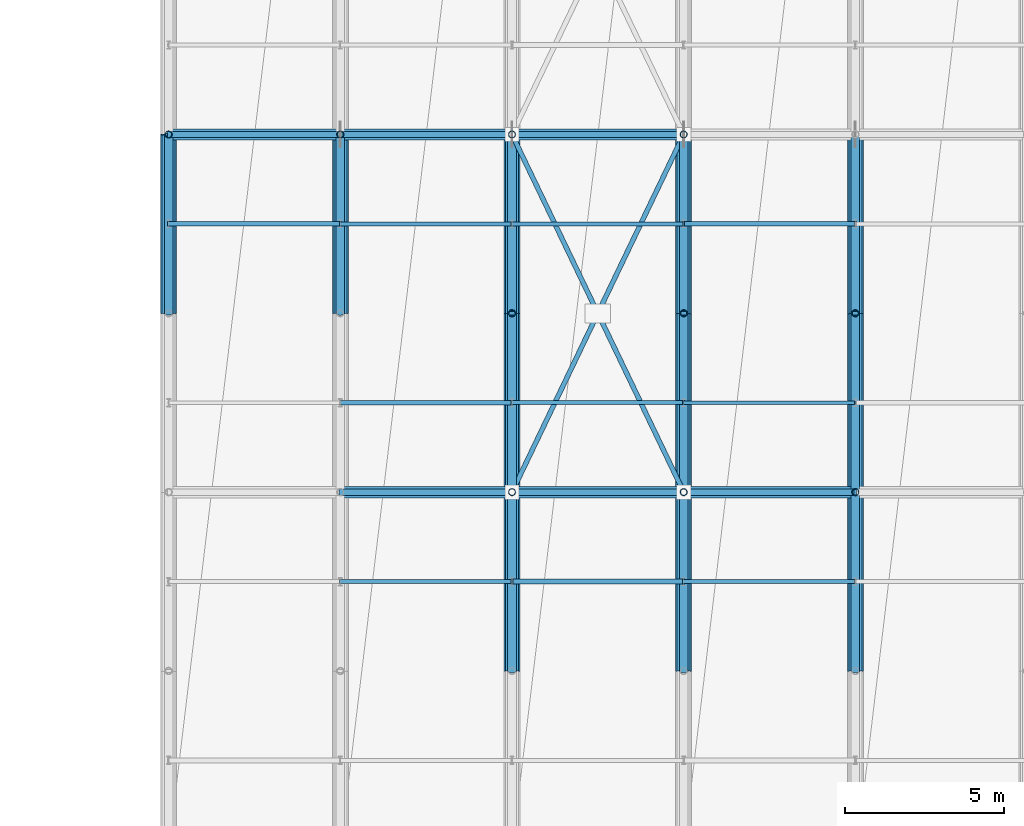
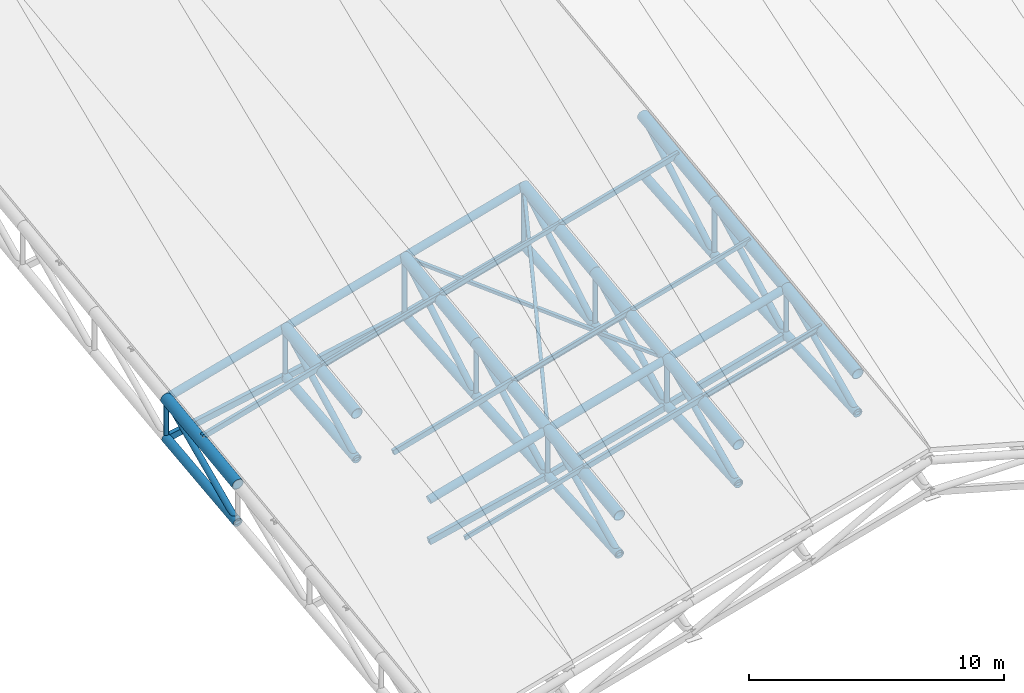
# One storey, part 2 of 109: 46 members, 22 beams.
"""IFC4 building model written with IfcOpenShell, lengths in metres."""

from ifc_helpers import new_model, si_unit, direction, frame, origin, origin_2d, place, context, subcontext, project, spatial, hollow_rectangle, hollow_circle, i_section, extrude, material, material_profile, profile_set, type_object, element, save


model = new_model("IFC4")

# Units and contexts
model_context = context("Model", 3, precision=1e-05, world=origin(), true_north=direction((0.0, 1.0)))
body_context = subcontext(model_context, "Body", "Model", "MODEL_VIEW")
ifc_project = project(units=[si_unit("LENGTHUNIT", "METRE"), si_unit("AREAUNIT", "SQUARE_METRE"), si_unit("VOLUMEUNIT", "CUBIC_METRE"), si_unit("PLANEANGLEUNIT", "RADIAN"), si_unit("MASSUNIT", "GRAM", prefix="KILO")], contexts=[model_context])

# Site, building, storey
site_placement = place(None, origin())
site = spatial("IfcSite", under=ifc_project, at=site_placement, CompositionType="ELEMENT")
building_placement = place(site_placement, origin())
building = spatial("IfcBuilding", under=site, at=building_placement, Name="Suirenkawa Promenade Aquatics Centre", CompositionType="ELEMENT")
storey_placement = place(building_placement, frame((0.0, 0.0, 22.800048828125)))
storey = spatial("IfcBuildingStorey", under=building, at=storey_placement, Name="ROOF", CompositionType="ELEMENT", Elevation=22.800048828125)

# Beams
ifc_material = material(Name="Steel IS 2062 E350 (Grade 350)", Category="steel")
ifc_material_profile_1 = material_profile(ifc_material, hollow_circle(Radius=0.202880859375, WallThickness=0.01806640625, at=origin_2d()), Name="CHS 406x18", Category="steel")
ifc_profile_set_1 = profile_set([ifc_material_profile_1], Name="Steel IS 2062 E350 (Grade 350)")
beam_type_1 = type_object("IfcBeamType", Name="BT-BC-CHS406", PredefinedType="BEAM", material=ifc_profile_set_1)
beam_1_placement = place(storey_placement, frame((46.800048828125, 67.27490234375, -14.651123046875), z_axis=(0.0, 0.993528502262, 0.11358307617), x_axis=(-1.0, 0.0, 0.0)))
element("IfcBeam", 1, at=beam_1_placement, inside=storey, type_object=beam_type_1, Name="ROOF TRUSS V1 bottom chord BC-01 BM-1814", PredefinedType="BEAM", context=body_context, shape_type="SweptSolid", body=[
    extrude(hollow_circle(Radius=0.202880859375, WallThickness=0.01806640625, at=origin_2d()), origin(), (0.0, 0.0, 1.0), 5.66162109375),
])
beam_2_placement = place(storey_placement, frame((52.199951171875, 67.27490234375, -13.5029296875), z_axis=(0.0, 0.995118108673, 0.098691183955), x_axis=(-1.0, 0.0, 0.0)))
element("IfcBeam", 2, at=beam_2_placement, inside=storey, type_object=beam_type_1, Name="ROOF TRUSS V1 bottom chord BC-01 BM-1842", PredefinedType="BEAM", context=body_context, shape_type="SweptSolid", body=[
    extrude(hollow_circle(Radius=0.202880859375, WallThickness=0.01806640625, at=origin_2d()), origin(), (0.0, 0.0, 1.0), 5.652587890625),
])
beam_3_placement = place(storey_placement, frame((57.60009765625, 56.02490234375, -13.135009765625), z_axis=(0.0, 0.997879005221, 0.065096013231), x_axis=(-1.0, 0.0, 0.0)))
element("IfcBeam", 3, at=beam_3_placement, inside=storey, type_object=beam_type_1, Name="ROOF TRUSS V1 bottom chord BC-01 BM-1866", PredefinedType="BEAM", context=body_context, shape_type="SweptSolid", body=[
    extrude(hollow_circle(Radius=0.202880859375, WallThickness=0.01806640625, at=origin_2d()), origin(), (0.0, 0.0, 1.0), 5.636962890625),
])
beam_4_placement = place(storey_placement, frame((57.60009765625, 61.64990234375, -12.76806640625), z_axis=(0.0, 0.997326957355, 0.07306805139), x_axis=(-1.0, 0.0, 0.0)))
element("IfcBeam", 4, at=beam_4_placement, inside=storey, type_object=beam_type_1, Name="ROOF TRUSS V1 bottom chord BC-01 BM-1868", PredefinedType="BEAM", context=body_context, shape_type="SweptSolid", body=[
    extrude(hollow_circle(Radius=0.202880859375, WallThickness=0.01806640625, at=origin_2d()), origin(), (0.0, 0.0, 1.0), 5.64013671875),
])
beam_5_placement = place(storey_placement, frame((57.60009765625, 67.27490234375, -12.35595703125), z_axis=(0.0, 0.996455699182, 0.084119198564), x_axis=(-1.0, 0.0, 0.0)))
element("IfcBeam", 5, at=beam_5_placement, inside=storey, type_object=beam_type_1, Name="ROOF TRUSS V1 bottom chord BC-01 BM-1870", PredefinedType="BEAM", context=body_context, shape_type="SweptSolid", body=[
    extrude(hollow_circle(Radius=0.202880859375, WallThickness=0.01806640625, at=origin_2d()), origin(), (0.0, 0.0, 1.0), 5.64501953125),
])
beam_6_placement = place(storey_placement, frame((63.0, 56.02490234375, -11.649169921875), z_axis=(0.0, 0.998011917431, 0.063025492182), x_axis=(-1.0, 0.0, 0.0)))
element("IfcBeam", 6, at=beam_6_placement, inside=storey, type_object=beam_type_1, Name="ROOF TRUSS V1 bottom chord BC-01 BM-1894", PredefinedType="BEAM", context=body_context, shape_type="SweptSolid", body=[
    extrude(hollow_circle(Radius=0.202880859375, WallThickness=0.01806640625, at=origin_2d()), origin(), (0.0, 0.0, 1.0), 5.63623046875),
])
beam_7_placement = place(storey_placement, frame((63.0, 61.64990234375, -11.2939453125), z_axis=(0.0, 0.997470114587, 0.071087062854), x_axis=(-1.0, 0.0, 0.0)))
element("IfcBeam", 7, at=beam_7_placement, inside=storey, type_object=beam_type_1, Name="ROOF TRUSS V1 bottom chord BC-01 BM-1896", PredefinedType="BEAM", context=body_context, shape_type="SweptSolid", body=[
    extrude(hollow_circle(Radius=0.202880859375, WallThickness=0.01806640625, at=origin_2d()), origin(), (0.0, 0.0, 1.0), 5.63916015625),
])
beam_8_placement = place(storey_placement, frame((63.0, 67.27490234375, -10.89306640625), z_axis=(0.0, 0.996585022784, 0.082572951758), x_axis=(-1.0, 0.0, 0.0)))
element("IfcBeam", 8, at=beam_8_placement, inside=storey, type_object=beam_type_1, Name="ROOF TRUSS V1 bottom chord BC-01 BM-1898", PredefinedType="BEAM", context=body_context, shape_type="SweptSolid", body=[
    extrude(hollow_circle(Radius=0.202880859375, WallThickness=0.01806640625, at=origin_2d()), origin(), (0.0, 0.0, 1.0), 5.644287109375),
])
beam_9_placement = place(storey_placement, frame((68.39990234375, 56.02490234375, -10.149169921875), z_axis=(0.0, 0.998011917431, 0.063025492182), x_axis=(-1.0, 0.0, 0.0)))
element("IfcBeam", 9, at=beam_9_placement, inside=storey, type_object=beam_type_1, Name="ROOF TRUSS V1 bottom chord BC-01 BM-1922", PredefinedType="BEAM", context=body_context, shape_type="SweptSolid", body=[
    extrude(hollow_circle(Radius=0.202880859375, WallThickness=0.01806640625, at=origin_2d()), origin(), (0.0, 0.0, 1.0), 5.63623046875),
])
beam_10_placement = place(storey_placement, frame((68.39990234375, 61.64990234375, -9.7939453125), z_axis=(0.0, 0.997470114587, 0.071087062854), x_axis=(-1.0, 0.0, 0.0)))
element("IfcBeam", 10, at=beam_10_placement, inside=storey, type_object=beam_type_1, Name="ROOF TRUSS V1 bottom chord BC-01 BM-1924", PredefinedType="BEAM", context=body_context, shape_type="SweptSolid", body=[
    extrude(hollow_circle(Radius=0.202880859375, WallThickness=0.01806640625, at=origin_2d()), origin(), (0.0, 0.0, 1.0), 5.63916015625),
])
beam_11_placement = place(storey_placement, frame((68.39990234375, 67.27490234375, -9.39306640625), z_axis=(0.0, 0.996585022784, 0.082572951758), x_axis=(-1.0, 0.0, 0.0)))
element("IfcBeam", 11, at=beam_11_placement, inside=storey, type_object=beam_type_1, Name="ROOF TRUSS V1 bottom chord BC-01 BM-1926", PredefinedType="BEAM", context=body_context, shape_type="SweptSolid", body=[
    extrude(hollow_circle(Radius=0.202880859375, WallThickness=0.01806640625, at=origin_2d()), origin(), (0.0, 0.0, 1.0), 5.644287109375),
])
ifc_material_profile_2 = material_profile(ifc_material, hollow_circle(Radius=0.25390625, WallThickness=0.02392578125, at=origin_2d()), Name="CHS 508x24", Category="steel")
ifc_profile_set_2 = profile_set([ifc_material_profile_2], Name="Steel IS 2062 E350 (Grade 350)")
beam_type_2 = type_object("IfcBeamType", Name="BT-TC-CHS508", PredefinedType="BEAM", material=ifc_profile_set_2)
for number, where, z_axis, x_axis, name in (
    (12, (46.800048828125, 67.27490234375, -12.824951171875), (0.0, 0.991799178012, 0.127806065951), (-1.0, 0.0, 0.0), "ROOF TRUSS V1 top chord TC-02 BM-1813"),
    (13, (52.199951171875, 67.27490234375, -11.324951171875), (0.0, 0.991799178012, 0.127806065951), (-1.0, 0.0, 0.0), "ROOF TRUSS V1 top chord TC-02 BM-1841"),
    (14, (57.60009765625, 56.02490234375, -11.275146484375), (0.0, 0.991793720609, 0.127848409297), (-1.0, 0.0, 0.0), "ROOF TRUSS V1 top chord TC-02 BM-1865"),
    (15, (57.60009765625, 61.64990234375, -10.550048828125), (0.0, 0.991793720609, 0.127848409297), (-1.0, 0.0, 0.0), "ROOF TRUSS V1 top chord TC-02 BM-1867"),
    (16, (57.60009765625, 67.27490234375, -9.824951171875), (0.0, 0.991799178012, 0.127806065951), (-1.0, 0.0, 0.0), "ROOF TRUSS V1 top chord TC-02 BM-1869"),
    (17, (63.0, 56.02490234375, -9.775146484375), (0.0, 0.991793720609, 0.127848409297), (-1.0, 0.0, 0.0), "ROOF TRUSS V1 top chord TC-02 BM-1893"),
    (18, (63.0, 61.64990234375, -9.050048828125), (0.0, 0.991793720609, 0.127848409297), (-1.0, 0.0, 0.0), "ROOF TRUSS V1 top chord TC-02 BM-1895"),
    (19, (63.0, 67.27490234375, -8.324951171875), (0.0, 0.991799178012, 0.127806065951), (-1.0, 0.0, 0.0), "ROOF TRUSS V1 top chord TC-02 BM-1897"),
    (20, (68.39990234375, 56.02490234375, -8.275146484375), (0.0, 0.991793720609, 0.127848409297), (-1.0, 0.0, 0.0), "ROOF TRUSS V1 top chord TC-02 BM-1921"),
    (21, (68.39990234375, 61.64990234375, -7.550048828125), (0.0, 0.991793720609, 0.127848409297), (-1.0, 0.0, 0.0), "ROOF TRUSS V1 top chord TC-02 BM-1923"),
    (22, (68.39990234375, 67.27490234375, -6.824951171875), (0.0, 0.991799178012, 0.127806065951), (-1.0, 0.0, 0.0), "ROOF TRUSS V1 top chord TC-02 BM-1925"),
):
    element("IfcBeam", number, at=place(storey_placement, frame(where, z_axis=z_axis, x_axis=x_axis)), inside=storey, type_object=beam_type_2, Name=name, PredefinedType="BEAM", context=body_context, shape_type="SweptSolid", body=[
        extrude(hollow_circle(Radius=0.25390625, WallThickness=0.02392578125, at=origin_2d()), origin(), (0.0, 0.0, 1.0), 5.671630859375),
    ])

# Members
ifc_material_profile_3 = material_profile(ifc_material, hollow_rectangle(XDim=0.14990234375, YDim=0.14990234375, WallThickness=0.008056640625, at=origin_2d()), Name="SHS 150x150x8", Category="steel")
ifc_profile_set_3 = profile_set([ifc_material_profile_3], Name="Steel IS 2062 E350 (Grade 350)")
member_type_1 = type_object("IfcMemberType", Name="MT-BRACE-SHS150", PredefinedType="BRACE", material=ifc_profile_set_3)
member_1_placement = place(storey_placement, frame((57.60009765625, 61.64990234375, -10.550048828125), z_axis=(0.421117950341, 0.877344929548, 0.230055529161), x_axis=(-0.901526110403, 0.432724707246, 0.0)))
element("IfcMember", 23, at=member_1_placement, inside=storey, type_object=member_type_1, Name="ROOF TRUSS V1 continuous plan brace BF-02 MB-0926", PredefinedType="BRACE", context=body_context, shape_type="SweptSolid", body=[
    extrude(hollow_rectangle(XDim=0.14990234375, YDim=0.14990234375, WallThickness=0.008056640625, at=origin_2d()), origin(), (0.0, 0.0, 1.0), 12.82275390625),
])
member_2_placement = place(storey_placement, frame((63.0, 61.64990234375, -9.050048828125), z_axis=(-0.432727524929, 0.901515676935, -0.004046406999), x_axis=(-0.901523057468, -0.432731067585, 0.0)))
element("IfcMember", 24, at=member_2_placement, inside=storey, type_object=member_type_1, Name="ROOF TRUSS V1 split plan brace A BF-02 MB-0927", PredefinedType="BRACE", context=body_context, shape_type="SweptSolid", body=[
    extrude(hollow_rectangle(XDim=0.14990234375, YDim=0.14990234375, WallThickness=0.008056640625, at=origin_2d()), origin(), (0.0, 0.0, 1.0), 6.154296875),
])
member_3_placement = place(storey_placement, frame((60.262939453125, 67.35205078125, -9.074951171875), z_axis=(-0.432710687901, 0.901523578607, -0.004086293284), x_axis=(-0.901531105428, -0.432714300603, 0.0)))
element("IfcMember", 25, at=member_3_placement, inside=storey, type_object=member_type_1, Name="ROOF TRUSS V1 split plan brace B BF-02 MB-0928", PredefinedType="BRACE", context=body_context, shape_type="SweptSolid", body=[
    extrude(hollow_rectangle(XDim=0.14990234375, YDim=0.14990234375, WallThickness=0.008056640625, at=origin_2d()), origin(), (0.0, 0.0, 1.0), 6.15380859375),
])
ifc_material_profile_4 = material_profile(ifc_material, hollow_circle(Radius=0.177978515625, WallThickness=0.01611328125, at=origin_2d()), Name="CHS 356x16", Category="steel")
ifc_profile_set_4 = profile_set([ifc_material_profile_4], Name="Steel IS 2062 E350 (Grade 350)")
member_type_2 = type_object("IfcMemberType", Name="MT-CHORD-CHS356", PredefinedType="CHORD", material=ifc_profile_set_4)
member_4_placement = place(storey_placement, frame((52.199951171875, 61.64990234375, -12.050048828125), z_axis=(0.963519781844, 0.0, 0.267637123724), x_axis=(0.0, 1.0, 0.0)))
element("IfcMember", 26, at=member_4_placement, inside=storey, type_object=member_type_2, Name="ROOF TRUSS V1 tie chord CH-02 MB-0690", PredefinedType="CHORD", context=body_context, shape_type="SweptSolid", body=[
    extrude(hollow_circle(Radius=0.177978515625, WallThickness=0.01611328125, at=origin_2d()), origin(), (0.0, 0.0, 1.0), 5.6044921875),
])
for number, where, z_axis, x_axis, name in (
    (27, (57.60009765625, 61.64990234375, -10.550048828125), (0.963516661409, 0.0, 0.267648357342), (0.0, 1.0, 0.0), "ROOF TRUSS V1 tie chord CH-02 MB-0692"),
    (28, (63.0, 61.64990234375, -9.050048828125), (0.963516661409, 0.0, 0.267648357342), (0.0, 1.0, 0.0), "ROOF TRUSS V1 tie chord CH-02 MB-0694"),
    (29, (46.800048828125, 72.89990234375, -12.10009765625), (0.963516661409, 0.0, 0.267648357342), (0.0, 1.0, 0.0), "ROOF TRUSS V1 tie chord CH-02 MB-0728"),
):
    element("IfcMember", number, at=place(storey_placement, frame(where, z_axis=z_axis, x_axis=x_axis)), inside=storey, type_object=member_type_2, Name=name, PredefinedType="CHORD", context=body_context, shape_type="SweptSolid", body=[
        extrude(hollow_circle(Radius=0.177978515625, WallThickness=0.01611328125, at=origin_2d()), origin(), (0.0, 0.0, 1.0), 5.604248046875),
    ])
member_5_placement = place(storey_placement, frame((52.199951171875, 72.89990234375, -10.60009765625), z_axis=(0.963519781844, 0.0, 0.267637123724), x_axis=(0.0, 1.0, 0.0)))
element("IfcMember", 30, at=member_5_placement, inside=storey, type_object=member_type_2, Name="ROOF TRUSS V1 tie chord CH-02 MB-0730", PredefinedType="CHORD", context=body_context, shape_type="SweptSolid", body=[
    extrude(hollow_circle(Radius=0.177978515625, WallThickness=0.01611328125, at=origin_2d()), origin(), (0.0, 0.0, 1.0), 5.6044921875),
])
member_6_placement = place(storey_placement, frame((57.60009765625, 72.89990234375, -9.10009765625), z_axis=(0.963516661409, 0.0, 0.267648357342), x_axis=(0.0, 1.0, 0.0)))
element("IfcMember", 31, at=member_6_placement, inside=storey, type_object=member_type_2, Name="ROOF TRUSS V1 tie chord CH-02 MB-0732", PredefinedType="CHORD", context=body_context, shape_type="SweptSolid", body=[
    extrude(hollow_circle(Radius=0.177978515625, WallThickness=0.01611328125, at=origin_2d()), origin(), (0.0, 0.0, 1.0), 5.604248046875),
])
ifc_material_profile_5 = material_profile(ifc_material, hollow_rectangle(XDim=0.199951171875, YDim=0.300048828125, WallThickness=0.011962890625, at=origin_2d()), Name="RHS 300x200x12", Category="steel")
ifc_profile_set_5 = profile_set([ifc_material_profile_5], Name="Steel IS 2062 E350 (Grade 350)")
member_type_3 = type_object("IfcMemberType", Name="MT-CHORD-RHS300", PredefinedType="CHORD", material=ifc_profile_set_5)
member_7_placement = place(storey_placement, frame((52.199951171875, 61.64990234375, -14.02001953125), z_axis=(0.974162815598, 0.0, 0.225846870039), x_axis=(0.0, 1.0, 0.0)))
element("IfcMember", 32, at=member_7_placement, inside=storey, type_object=member_type_3, Name="ROOF TRUSS V1 bottom tie CH-03 MB-0691", PredefinedType="CHORD", context=body_context, shape_type="SweptSolid", body=[
    extrude(hollow_rectangle(XDim=0.199951171875, YDim=0.300048828125, WallThickness=0.011962890625, at=origin_2d()), origin(), (0.0, 0.0, 1.0), 5.54345703125),
])
member_8_placement = place(storey_placement, frame((57.60009765625, 61.64990234375, -12.76806640625), z_axis=(0.964699374801, 0.0, 0.26335359549), x_axis=(0.0, 1.0, 0.0)))
element("IfcMember", 33, at=member_8_placement, inside=storey, type_object=member_type_3, Name="ROOF TRUSS V1 bottom tie CH-03 MB-0693", PredefinedType="CHORD", context=body_context, shape_type="SweptSolid", body=[
    extrude(hollow_rectangle(XDim=0.199951171875, YDim=0.300048828125, WallThickness=0.011962890625, at=origin_2d()), origin(), (0.0, 0.0, 1.0), 5.597412109375),
])
member_9_placement = place(storey_placement, frame((63.0, 61.64990234375, -11.2939453125), z_axis=(0.963516661409, 0.0, 0.267648357342), x_axis=(0.0, 1.0, 0.0)))
element("IfcMember", 34, at=member_9_placement, inside=storey, type_object=member_type_3, Name="ROOF TRUSS V1 bottom tie CH-03 MB-0695", PredefinedType="CHORD", context=body_context, shape_type="SweptSolid", body=[
    extrude(hollow_rectangle(XDim=0.199951171875, YDim=0.300048828125, WallThickness=0.011962890625, at=origin_2d()), origin(), (0.0, 0.0, 1.0), 5.604248046875),
])
member_10_placement = place(storey_placement, frame((46.800048828125, 72.89990234375, -14.008056640625), z_axis=(0.981169932548, 0.0, 0.193146481884), x_axis=(0.0, 1.0, 0.0)))
element("IfcMember", 35, at=member_10_placement, inside=storey, type_object=member_type_3, Name="ROOF TRUSS V1 bottom tie CH-03 MB-0729", PredefinedType="CHORD", context=body_context, shape_type="SweptSolid", body=[
    extrude(hollow_rectangle(XDim=0.199951171875, YDim=0.300048828125, WallThickness=0.011962890625, at=origin_2d()), origin(), (0.0, 0.0, 1.0), 5.50341796875),
])
member_11_placement = place(storey_placement, frame((52.199951171875, 72.89990234375, -12.945068359375), z_axis=(0.981137949397, 0.0, 0.193308883018), x_axis=(0.0, 1.0, 0.0)))
element("IfcMember", 36, at=member_11_placement, inside=storey, type_object=member_type_3, Name="ROOF TRUSS V1 bottom tie CH-03 MB-0731", PredefinedType="CHORD", context=body_context, shape_type="SweptSolid", body=[
    extrude(hollow_rectangle(XDim=0.199951171875, YDim=0.300048828125, WallThickness=0.011962890625, at=origin_2d()), origin(), (0.0, 0.0, 1.0), 5.50390625),
])
member_12_placement = place(storey_placement, frame((57.60009765625, 72.89990234375, -11.881103515625), z_axis=(0.965603111934, 0.0, 0.260020441933), x_axis=(0.0, 1.0, 0.0)))
element("IfcMember", 37, at=member_12_placement, inside=storey, type_object=member_type_3, Name="ROOF TRUSS V1 bottom tie CH-03 MB-0733", PredefinedType="CHORD", context=body_context, shape_type="SweptSolid", body=[
    extrude(hollow_rectangle(XDim=0.199951171875, YDim=0.300048828125, WallThickness=0.011962890625, at=origin_2d()), origin(), (0.0, 0.0, 1.0), 5.59228515625),
])
ifc_material_profile_6 = material_profile(ifc_material, i_section(OverallWidth=0.125, OverallDepth=0.25, WebThickness=0.007080078125, FlangeThickness=0.012939453125, at=origin_2d()), Name="ISMB 250", Category="steel")
ifc_profile_set_6 = profile_set([ifc_material_profile_6], Name="Steel IS 2062 E350 (Grade 350)")
member_type_4 = type_object("IfcMemberType", Name="MT-PURLIN-ISMB250", PredefinedType="PURLIN", material=ifc_profile_set_6)
member_13_placement = place(storey_placement, frame((52.199951171875, 70.087890625, -10.740966796875), z_axis=(0.963519781844, 0.0, 0.267637123724), x_axis=(0.0, 1.0, 0.0)))
element("IfcMember", 38, at=member_13_placement, inside=storey, type_object=member_type_4, Name="ROOF TRUSS Roof purlin PU-04 MB-1731", PredefinedType="PURLIN", context=body_context, shape_type="SweptSolid", body=[
    extrude(i_section(OverallWidth=0.125, OverallDepth=0.25, WebThickness=0.007080078125, FlangeThickness=0.012939453125, at=origin_2d()), origin(), (0.0, 0.0, 1.0), 5.6044921875),
])
for number, where, z_axis, x_axis, name in (
    (39, (57.60009765625, 64.462890625, -9.966064453125), (0.963516661409, 0.0, 0.267648357342), (0.0, 1.0, 0.0), "ROOF TRUSS Roof purlin PU-04 MB-1765"),
    (40, (63.0, 58.8369140625, -9.192138671875), (0.963516661409, 0.0, 0.267648357342), (0.0, 1.0, 0.0), "ROOF TRUSS Roof purlin PU-04 MB-1799"),
):
    element("IfcMember", number, at=place(storey_placement, frame(where, z_axis=z_axis, x_axis=x_axis)), inside=storey, type_object=member_type_4, Name=name, PredefinedType="PURLIN", context=body_context, shape_type="SweptSolid", body=[
        extrude(i_section(OverallWidth=0.125, OverallDepth=0.25, WebThickness=0.007080078125, FlangeThickness=0.012939453125, at=origin_2d()), origin(), (0.0, 0.0, 1.0), 5.604248046875),
    ])
ifc_material_profile_7 = material_profile(ifc_material, hollow_rectangle(XDim=0.1201171875, YDim=0.199951171875, WallThickness=0.008056640625, at=origin_2d()), Name="RHS 200x120x8", Category="steel")
ifc_profile_set_7 = profile_set([ifc_material_profile_7], Name="Steel IS 2062 E350 (Grade 350)")
member_type_5 = type_object("IfcMemberType", Name="MT-PURLIN-RHS200", PredefinedType="PURLIN", material=ifc_profile_set_7)
member_14_placement = place(storey_placement, frame((52.199951171875, 58.8369140625, -12.166015625), z_axis=(0.963519781844, 0.0, 0.267637123724), x_axis=(0.0, 1.0, 0.0)))
element("IfcMember", 41, at=member_14_placement, inside=storey, type_object=member_type_5, Name="ROOF TRUSS Roof purlin PU-02 MB-1727", PredefinedType="PURLIN", context=body_context, shape_type="SweptSolid", body=[
    extrude(hollow_rectangle(XDim=0.1201171875, YDim=0.199951171875, WallThickness=0.008056640625, at=origin_2d()), origin(), (0.0, 0.0, 1.0), 5.6044921875),
])
for number, where, z_axis, x_axis, name in (
    (42, (57.60009765625, 70.087890625, -9.216064453125), (0.963516661409, 0.0, 0.267648357342), (0.0, 1.0, 0.0), "ROOF TRUSS Roof purlin PU-02 MB-1767"),
    (43, (63.0, 64.462890625, -8.441162109375), (0.963516661409, 0.0, 0.267648357342), (0.0, 1.0, 0.0), "ROOF TRUSS Roof purlin PU-02 MB-1801"),
):
    element("IfcMember", number, at=place(storey_placement, frame(where, z_axis=z_axis, x_axis=x_axis)), inside=storey, type_object=member_type_5, Name=name, PredefinedType="PURLIN", context=body_context, shape_type="SweptSolid", body=[
        extrude(hollow_rectangle(XDim=0.1201171875, YDim=0.199951171875, WallThickness=0.008056640625, at=origin_2d()), origin(), (0.0, 0.0, 1.0), 5.604248046875),
    ])
ifc_material_profile_8 = material_profile(ifc_material, hollow_rectangle(XDim=0.14990234375, YDim=0.25, WallThickness=0.010009765625, at=origin_2d()), Name="RHS 250x150x10", Category="steel")
ifc_profile_set_8 = profile_set([ifc_material_profile_8], Name="Steel IS 2062 E350 (Grade 350)")
member_type_6 = type_object("IfcMemberType", Name="MT-PURLIN-RHS250", PredefinedType="PURLIN", material=ifc_profile_set_8)
member_15_placement = place(storey_placement, frame((46.800048828125, 70.087890625, -12.2431640625), z_axis=(0.963516661409, 0.0, 0.267648357342), x_axis=(0.0, 1.0, 0.0)))
element("IfcMember", 44, at=member_15_placement, inside=storey, type_object=member_type_6, Name="ROOF TRUSS Roof purlin PU-03 MB-1681", PredefinedType="PURLIN", context=body_context, shape_type="SweptSolid", body=[
    extrude(hollow_rectangle(XDim=0.14990234375, YDim=0.25, WallThickness=0.010009765625, at=origin_2d()), origin(), (0.0, 0.0, 1.0), 5.604248046875),
])
member_16_placement = place(storey_placement, frame((52.199951171875, 64.462890625, -11.468017578125), z_axis=(0.963519781844, 0.0, 0.267637123724), x_axis=(0.0, 1.0, 0.0)))
element("IfcMember", 45, at=member_16_placement, inside=storey, type_object=member_type_6, Name="ROOF TRUSS Roof purlin PU-03 MB-1729", PredefinedType="PURLIN", context=body_context, shape_type="SweptSolid", body=[
    extrude(hollow_rectangle(XDim=0.14990234375, YDim=0.25, WallThickness=0.010009765625, at=origin_2d()), origin(), (0.0, 0.0, 1.0), 5.6044921875),
])
for number, where, z_axis, x_axis, name in (
    (46, (57.60009765625, 58.8369140625, -10.693115234375), (0.963516661409, 0.0, 0.267648357342), (0.0, 1.0, 0.0), "ROOF TRUSS Roof purlin PU-03 MB-1763"),
    (47, (63.0, 70.087890625, -7.7431640625), (0.963516661409, 0.0, 0.267648357342), (0.0, 1.0, 0.0), "ROOF TRUSS Roof purlin PU-03 MB-1803"),
):
    element("IfcMember", number, at=place(storey_placement, frame(where, z_axis=z_axis, x_axis=x_axis)), inside=storey, type_object=member_type_6, Name=name, PredefinedType="PURLIN", context=body_context, shape_type="SweptSolid", body=[
        extrude(hollow_rectangle(XDim=0.14990234375, YDim=0.25, WallThickness=0.010009765625, at=origin_2d()), origin(), (0.0, 0.0, 1.0), 5.604248046875),
    ])
ifc_material_profile_9 = material_profile(ifc_material, hollow_circle(Radius=0.110107421875, WallThickness=0.010009765625, at=origin_2d()), Name="CHS 220x10", Category="steel")
ifc_profile_set_9 = profile_set([ifc_material_profile_9], Name="Steel IS 2062 E350 (Grade 350)")
member_type_7 = type_object("IfcMemberType", Name="MT-WEB-CHS220", PredefinedType="BRACE", material=ifc_profile_set_9)
member_17_placement = place(storey_placement, frame((46.800048828125, 72.89990234375, -14.008056640625), z_axis=(0.0, 0.0, 1.0), x_axis=(1.0, 0.0, 0.0)))
element("IfcMember", 48, at=member_17_placement, inside=storey, type_object=member_type_7, Name="ROOF TRUSS V1 web post TD-01 MB-0018", PredefinedType="BRACE", context=body_context, shape_type="SweptSolid", body=[
    extrude(hollow_circle(Radius=0.110107421875, WallThickness=0.010009765625, at=origin_2d()), origin(), (0.0, 0.0, 1.0), 1.907958984375),
])
member_18_placement = place(storey_placement, frame((52.199951171875, 72.89990234375, -12.945068359375), z_axis=(0.0, 0.0, 1.0), x_axis=(1.0, 0.0, 0.0)))
element("IfcMember", 49, at=member_18_placement, inside=storey, type_object=member_type_7, Name="ROOF TRUSS V1 web post TD-01 MB-0045", PredefinedType="BRACE", context=body_context, shape_type="SweptSolid", body=[
    extrude(hollow_circle(Radius=0.110107421875, WallThickness=0.010009765625, at=origin_2d()), origin(), (0.0, 0.0, 1.0), 2.344970703125),
])
member_19_placement = place(storey_placement, frame((57.60009765625, 61.64990234375, -12.76806640625), z_axis=(0.0, 0.0, 1.0), x_axis=(1.0, 0.0, 0.0)))
element("IfcMember", 50, at=member_19_placement, inside=storey, type_object=member_type_7, Name="ROOF TRUSS V1 web post TD-01 MB-0070", PredefinedType="BRACE", context=body_context, shape_type="SweptSolid", body=[
    extrude(hollow_circle(Radius=0.110107421875, WallThickness=0.010009765625, at=origin_2d()), origin(), (0.0, 0.0, 1.0), 2.218017578125),
])
member_20_placement = place(storey_placement, frame((57.60009765625, 67.27490234375, -12.35595703125), z_axis=(0.0, 0.0, 1.0), x_axis=(1.0, 0.0, 0.0)))
element("IfcMember", 51, at=member_20_placement, inside=storey, type_object=member_type_7, Name="ROOF TRUSS V1 web post TD-01 MB-0071", PredefinedType="BRACE", context=body_context, shape_type="SweptSolid", body=[
    extrude(hollow_circle(Radius=0.110107421875, WallThickness=0.010009765625, at=origin_2d()), origin(), (0.0, 0.0, 1.0), 2.531005859375),
])
member_21_placement = place(storey_placement, frame((57.60009765625, 72.89990234375, -11.881103515625), z_axis=(0.0, 0.0, 1.0), x_axis=(1.0, 0.0, 0.0)))
element("IfcMember", 52, at=member_21_placement, inside=storey, type_object=member_type_7, Name="ROOF TRUSS V1 web post TD-01 MB-0072", PredefinedType="BRACE", context=body_context, shape_type="SweptSolid", body=[
    extrude(hollow_circle(Radius=0.110107421875, WallThickness=0.010009765625, at=origin_2d()), origin(), (0.0, 0.0, 1.0), 2.781005859375),
])
member_22_placement = place(storey_placement, frame((63.0, 61.64990234375, -11.2939453125), z_axis=(0.0, 0.0, 1.0), x_axis=(1.0, 0.0, 0.0)))
element("IfcMember", 53, at=member_22_placement, inside=storey, type_object=member_type_7, Name="ROOF TRUSS V1 web post TD-01 MB-0097", PredefinedType="BRACE", context=body_context, shape_type="SweptSolid", body=[
    extrude(hollow_circle(Radius=0.110107421875, WallThickness=0.010009765625, at=origin_2d()), origin(), (0.0, 0.0, 1.0), 2.243896484375),
])
member_23_placement = place(storey_placement, frame((63.0, 67.27490234375, -10.89306640625), z_axis=(0.0, 0.0, 1.0), x_axis=(1.0, 0.0, 0.0)))
element("IfcMember", 54, at=member_23_placement, inside=storey, type_object=member_type_7, Name="ROOF TRUSS V1 web post TD-01 MB-0098", PredefinedType="BRACE", context=body_context, shape_type="SweptSolid", body=[
    extrude(hollow_circle(Radius=0.110107421875, WallThickness=0.010009765625, at=origin_2d()), origin(), (0.0, 0.0, 1.0), 2.568115234375),
])
member_24_placement = place(storey_placement, frame((63.0, 72.89990234375, -10.427001953125), z_axis=(0.0, 0.0, 1.0), x_axis=(1.0, 0.0, 0.0)))
element("IfcMember", 55, at=member_24_placement, inside=storey, type_object=member_type_7, Name="ROOF TRUSS V1 web post TD-01 MB-0099", PredefinedType="BRACE", context=body_context, shape_type="SweptSolid", body=[
    extrude(hollow_circle(Radius=0.110107421875, WallThickness=0.010009765625, at=origin_2d()), origin(), (0.0, 0.0, 1.0), 2.826904296875),
])
member_25_placement = place(storey_placement, frame((68.39990234375, 61.64990234375, -9.7939453125), z_axis=(0.0, 0.0, 1.0), x_axis=(1.0, 0.0, 0.0)))
element("IfcMember", 56, at=member_25_placement, inside=storey, type_object=member_type_7, Name="ROOF TRUSS V1 web post TD-01 MB-0124", PredefinedType="BRACE", context=body_context, shape_type="SweptSolid", body=[
    extrude(hollow_circle(Radius=0.110107421875, WallThickness=0.010009765625, at=origin_2d()), origin(), (0.0, 0.0, 1.0), 2.243896484375),
])
member_26_placement = place(storey_placement, frame((68.39990234375, 67.27490234375, -9.39306640625), z_axis=(0.0, 0.0, 1.0), x_axis=(1.0, 0.0, 0.0)))
element("IfcMember", 57, at=member_26_placement, inside=storey, type_object=member_type_7, Name="ROOF TRUSS V1 web post TD-01 MB-0125", PredefinedType="BRACE", context=body_context, shape_type="SweptSolid", body=[
    extrude(hollow_circle(Radius=0.110107421875, WallThickness=0.010009765625, at=origin_2d()), origin(), (0.0, 0.0, 1.0), 2.568115234375),
])
ifc_material_profile_10 = material_profile(ifc_material, hollow_circle(Radius=0.136962890625, WallThickness=0.011962890625, at=origin_2d()), Name="CHS 274x12", Category="steel")
ifc_profile_set_10 = profile_set([ifc_material_profile_10], Name="Steel IS 2062 E350 (Grade 350)")
member_type_8 = type_object("IfcMemberType", Name="MT-WEB-CHS274", PredefinedType="BRACE", material=ifc_profile_set_10)
member_27_placement = place(storey_placement, frame((46.800048828125, 67.27490234375, -14.651123046875), z_axis=(0.0, 0.910719458776, 0.413025504547), x_axis=(-1.0, 0.0, 0.0)))
element("IfcMember", 58, at=member_27_placement, inside=storey, type_object=member_type_8, Name="ROOF TRUSS V1 web diagonal TD-02 MB-0004", PredefinedType="BRACE", context=body_context, shape_type="SweptSolid", body=[
    extrude(hollow_circle(Radius=0.136962890625, WallThickness=0.011962890625, at=origin_2d()), origin(), (0.0, 0.0, 1.0), 6.176513671875),
])
member_28_placement = place(storey_placement, frame((52.199951171875, 67.27490234375, -13.5029296875), z_axis=(0.0, 0.888646009653, 0.45859379578), x_axis=(-1.0, 0.0, 0.0)))
element("IfcMember", 59, at=member_28_placement, inside=storey, type_object=member_type_8, Name="ROOF TRUSS V1 web diagonal TD-02 MB-0031", PredefinedType="BRACE", context=body_context, shape_type="SweptSolid", body=[
    extrude(hollow_circle(Radius=0.136962890625, WallThickness=0.011962890625, at=origin_2d()), origin(), (0.0, 0.0, 1.0), 6.329833984375),
])
member_29_placement = place(storey_placement, frame((57.60009765625, 56.02490234375, -13.135009765625), z_axis=(0.0, 0.90864610954, 0.417567057631), x_axis=(-1.0, 0.0, 0.0)))
element("IfcMember", 60, at=member_29_placement, inside=storey, type_object=member_type_8, Name="ROOF TRUSS V1 web diagonal TD-02 MB-0056", PredefinedType="BRACE", context=body_context, shape_type="SweptSolid", body=[
    extrude(hollow_circle(Radius=0.136962890625, WallThickness=0.011962890625, at=origin_2d()), origin(), (0.0, 0.0, 1.0), 6.1904296875),
])
member_30_placement = place(storey_placement, frame((57.60009765625, 61.64990234375, -12.76806640625), z_axis=(0.0, 0.886045964174, 0.463597400092), x_axis=(-1.0, 0.0, 0.0)))
element("IfcMember", 61, at=member_30_placement, inside=storey, type_object=member_type_8, Name="ROOF TRUSS V1 web diagonal TD-02 MB-0057", PredefinedType="BRACE", context=body_context, shape_type="SweptSolid", body=[
    extrude(hollow_circle(Radius=0.136962890625, WallThickness=0.011962890625, at=origin_2d()), origin(), (0.0, 0.0, 1.0), 6.348388671875),
])
member_31_placement = place(storey_placement, frame((57.60009765625, 67.27490234375, -12.35595703125), z_axis=(0.0, 0.865474288597, 0.500953346907), x_axis=(-1.0, 0.0, 0.0)))
element("IfcMember", 62, at=member_31_placement, inside=storey, type_object=member_type_8, Name="ROOF TRUSS V1 web diagonal TD-02 MB-0058", PredefinedType="BRACE", context=body_context, shape_type="SweptSolid", body=[
    extrude(hollow_circle(Radius=0.136962890625, WallThickness=0.011962890625, at=origin_2d()), origin(), (0.0, 0.0, 1.0), 6.499267578125),
])
member_32_placement = place(storey_placement, frame((63.0, 56.02490234375, -11.649169921875), z_axis=(0.0, 0.907777097484, 0.41945290711), x_axis=(-1.0, 0.0, 0.0)))
element("IfcMember", 63, at=member_32_placement, inside=storey, type_object=member_type_8, Name="ROOF TRUSS V1 web diagonal TD-02 MB-0083", PredefinedType="BRACE", context=body_context, shape_type="SweptSolid", body=[
    extrude(hollow_circle(Radius=0.136962890625, WallThickness=0.011962890625, at=origin_2d()), origin(), (0.0, 0.0, 1.0), 6.196533203125),
])
member_33_placement = place(storey_placement, frame((63.0, 61.64990234375, -11.2939453125), z_axis=(0.0, 0.884368907617, 0.466788640865), x_axis=(-1.0, 0.0, 0.0)))
element("IfcMember", 64, at=member_33_placement, inside=storey, type_object=member_type_8, Name="ROOF TRUSS V1 web diagonal TD-02 MB-0084", PredefinedType="BRACE", context=body_context, shape_type="SweptSolid", body=[
    extrude(hollow_circle(Radius=0.136962890625, WallThickness=0.011962890625, at=origin_2d()), origin(), (0.0, 0.0, 1.0), 6.3603515625),
])
member_34_placement = place(storey_placement, frame((63.0, 67.27490234375, -10.89306640625), z_axis=(0.0, 0.862995350533, 0.505211861458), x_axis=(-1.0, 0.0, 0.0)))
element("IfcMember", 65, at=member_34_placement, inside=storey, type_object=member_type_8, Name="ROOF TRUSS V1 web diagonal TD-02 MB-0085", PredefinedType="BRACE", context=body_context, shape_type="SweptSolid", body=[
    extrude(hollow_circle(Radius=0.136962890625, WallThickness=0.011962890625, at=origin_2d()), origin(), (0.0, 0.0, 1.0), 6.51806640625),
])
member_35_placement = place(storey_placement, frame((68.39990234375, 56.02490234375, -10.149169921875), z_axis=(0.0, 0.907777097484, 0.41945290711), x_axis=(-1.0, 0.0, 0.0)))
element("IfcMember", 66, at=member_35_placement, inside=storey, type_object=member_type_8, Name="ROOF TRUSS V1 web diagonal TD-02 MB-0110", PredefinedType="BRACE", context=body_context, shape_type="SweptSolid", body=[
    extrude(hollow_circle(Radius=0.136962890625, WallThickness=0.011962890625, at=origin_2d()), origin(), (0.0, 0.0, 1.0), 6.196533203125),
])
member_36_placement = place(storey_placement, frame((68.39990234375, 61.64990234375, -9.7939453125), z_axis=(0.0, 0.884368907617, 0.466788640865), x_axis=(-1.0, 0.0, 0.0)))
element("IfcMember", 67, at=member_36_placement, inside=storey, type_object=member_type_8, Name="ROOF TRUSS V1 web diagonal TD-02 MB-0111", PredefinedType="BRACE", context=body_context, shape_type="SweptSolid", body=[
    extrude(hollow_circle(Radius=0.136962890625, WallThickness=0.011962890625, at=origin_2d()), origin(), (0.0, 0.0, 1.0), 6.3603515625),
])
member_37_placement = place(storey_placement, frame((68.39990234375, 67.27490234375, -9.39306640625), z_axis=(0.0, 0.862995350533, 0.505211861458), x_axis=(-1.0, 0.0, 0.0)))
element("IfcMember", 68, at=member_37_placement, inside=storey, type_object=member_type_8, Name="ROOF TRUSS V1 web diagonal TD-02 MB-0112", PredefinedType="BRACE", context=body_context, shape_type="SweptSolid", body=[
    extrude(hollow_circle(Radius=0.136962890625, WallThickness=0.011962890625, at=origin_2d()), origin(), (0.0, 0.0, 1.0), 6.51806640625),
])

save(model, "model.ifc")
